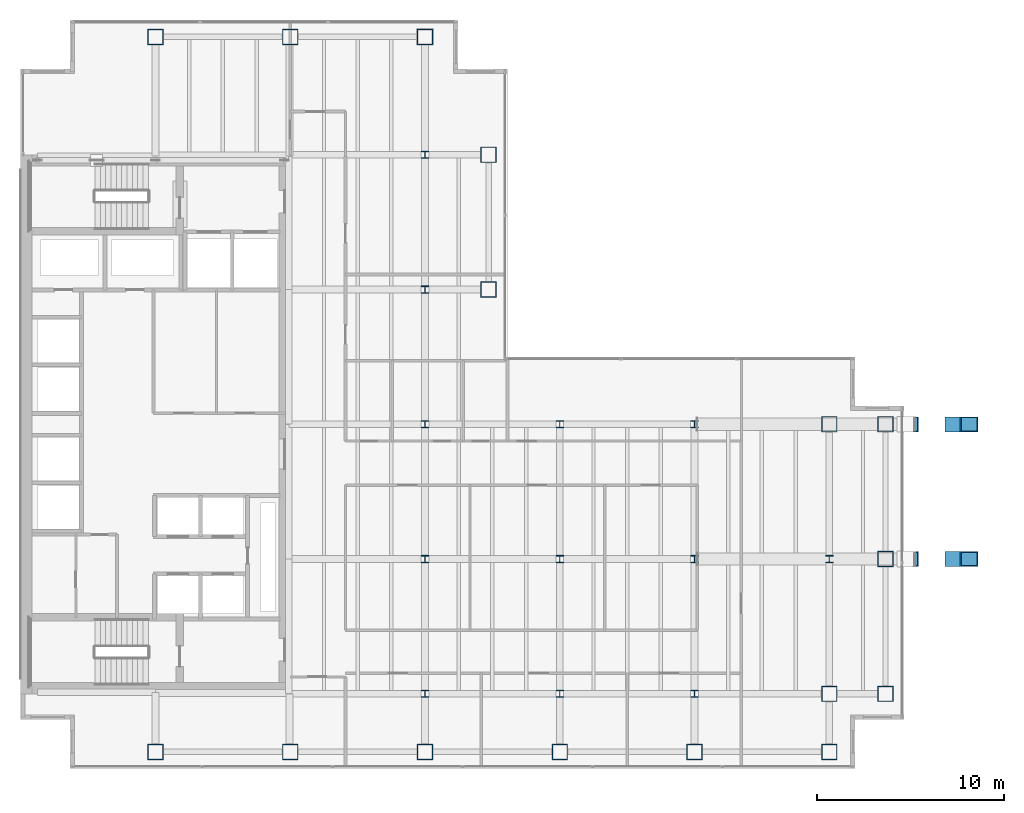
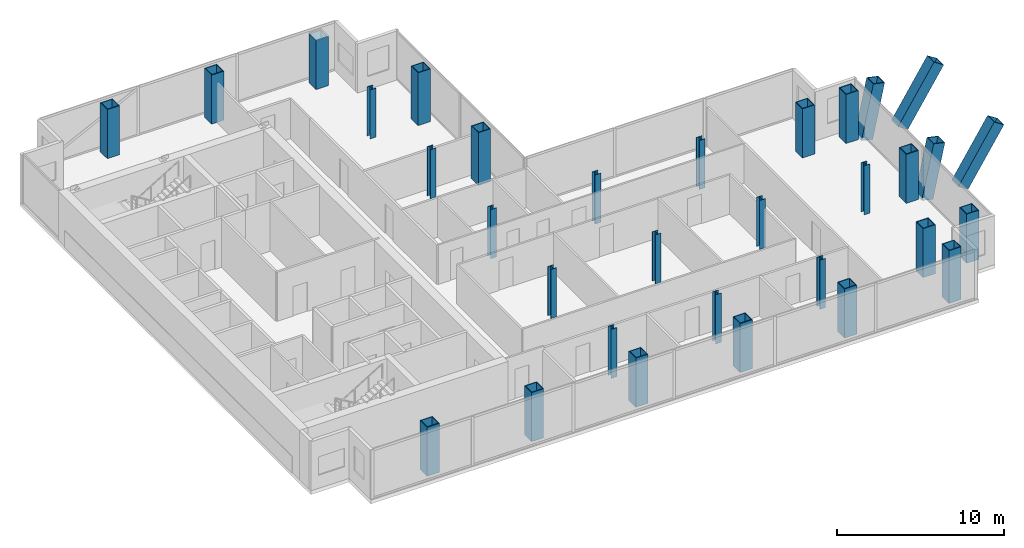
# One storey, part 1 of 23: 32 columns.
"""IFC4 building model written with IfcOpenShell, lengths in metres."""

from ifc_helpers import new_model, si_unit, direction, frame, origin, origin_2d, place, context, subcontext, project, spatial, hollow_rectangle, i_section, extrude, material, material_profile, profile_set, type_object, element, save


model = new_model("IFC4")

# Units and contexts
model_context = context("Model", 3, precision=1e-05, world=origin(), true_north=direction((0.0, 1.0)))
body_context = subcontext(model_context, "Body", "Model", "MODEL_VIEW")
ifc_project = project(units=[si_unit("LENGTHUNIT", "METRE"), si_unit("AREAUNIT", "SQUARE_METRE"), si_unit("VOLUMEUNIT", "CUBIC_METRE"), si_unit("PLANEANGLEUNIT", "RADIAN"), si_unit("MASSUNIT", "GRAM", prefix="KILO")], contexts=[model_context])

# Site, building, storey
site_placement = place(None, origin())
site = spatial("IfcSite", under=ifc_project, at=site_placement, CompositionType="ELEMENT")
building_placement = place(site_placement, origin())
building = spatial("IfcBuilding", under=site, at=building_placement, Name="Cobrela Telecom Tower", CompositionType="ELEMENT")
storey_placement = place(building_placement, frame((0.0, 0.0, 159.949951171875)))
storey = spatial("IfcBuildingStorey", under=building, at=storey_placement, Name="L40", CompositionType="ELEMENT", Elevation=159.949951171875)

# Columns
ifc_material_1 = material(Name="Steel ASTM A992 Grade 50", Category="steel")
ifc_material_profile_1 = material_profile(ifc_material_1, i_section(OverallWidth=0.39892578125, OverallDepth=0.39404296875, WebThickness=0.022705078125, FlangeThickness=0.03662109375, FilletRadius=0.01806640625, at=origin_2d()), Name="W14X193")
ifc_profile_set_1 = profile_set([ifc_material_profile_1], Name="Steel ASTM A992 Grade 50")
column_type_1 = type_object("IfcColumnType", Name="COL-INT-06", PredefinedType="COLUMN", material=ifc_profile_set_1)
for number, where, z_axis, x_axis, name in (
    (1, (21.60009765625, 7.199951171875, 0.0), (0.0, 0.0, 1.0), (1.0, 0.0, 0.0), "L40 Interior Column 06"),
    (2, (21.60009765625, 14.39990234375, 0.0), (0.0, 0.0, 1.0), (1.0, 0.0, 0.0), "L40 Interior Column 07"),
    (3, (21.60009765625, 21.60009765625, 0.0), (0.0, 0.0, 1.0), (1.0, 0.0, 0.0), "L40 Interior Column 08"),
    (4, (21.60009765625, 28.800048828125, 0.0), (0.0, 0.0, 1.0), (1.0, 0.0, 0.0), "L40 Interior Column 09"),
    (5, (21.60009765625, 36.0, 0.0), (0.0, 0.0, 1.0), (1.0, 0.0, 0.0), "L40 Interior Column 10"),
    (6, (28.800048828125, 7.199951171875, 0.0), (0.0, 0.0, 1.0), (1.0, 0.0, 0.0), "L40 Interior Column 15"),
    (7, (28.800048828125, 14.39990234375, 0.0), (0.0, 0.0, 1.0), (1.0, 0.0, 0.0), "L40 Interior Column 16"),
    (8, (28.800048828125, 21.60009765625, 0.0), (0.0, 0.0, 1.0), (1.0, 0.0, 0.0), "L40 Interior Column 17"),
    (9, (36.0, 7.199951171875, 0.0), (0.0, 0.0, 1.0), (1.0, 0.0, 0.0), "L40 Interior Column 19"),
    (10, (36.0, 14.39990234375, 0.0), (0.0, 0.0, 1.0), (1.0, 0.0, 0.0), "L40 Interior Column 20"),
    (11, (36.0, 21.60009765625, 0.0), (0.0, 0.0, 1.0), (1.0, 0.0, 0.0), "L40 Interior Column 21"),
    (12, (43.199951171875, 14.39990234375, 0.0), (0.0, 0.0, 1.0), (1.0, 0.0, 0.0), "L40 Interior Column 24"),
):
    element("IfcColumn", number, at=place(storey_placement, frame(where, z_axis=z_axis, x_axis=x_axis)), inside=storey, type_object=column_type_1, Name=name, PredefinedType="COLUMN", context=body_context, shape_type="SweptSolid", body=[
        extrude(i_section(OverallWidth=0.39892578125, OverallDepth=0.39404296875, WebThickness=0.022705078125, FlangeThickness=0.03662109375, FilletRadius=0.01806640625, at=origin_2d()), origin(), (0.0, 0.0, 1.0), 3.580078125),
    ])
ifc_material_2 = material(Name="Steel ASTM A572 Grade 50", Category="steel")
ifc_material_profile_2 = material_profile(ifc_material_2, hollow_rectangle(XDim=0.85009765625, YDim=0.85009765625, WallThickness=0.050048828125, at=origin_2d()), Name="BOX 850x850x50")
ifc_profile_set_2 = profile_set([ifc_material_profile_2], Name="Steel ASTM A572 Grade 50")
column_type_2 = type_object("IfcColumnType", Name="COL-MEGA-06", PredefinedType="COLUMN", material=ifc_profile_set_2)
for number, where, z_axis, x_axis, name in (
    (13, (7.199951171875, 4.10009765625, 0.0), (0.0, 0.0, 1.0), (1.0, 0.0, 0.0), "L40 Perimeter Mega-Column 01"),
    (14, (7.199951171875, 42.300048828125, 0.0), (0.0, 0.0, 1.0), (1.0, 0.0, 0.0), "L40 Perimeter Mega-Column 02"),
    (15, (14.39990234375, 4.10009765625, 0.0), (0.0, 0.0, 1.0), (1.0, 0.0, 0.0), "L40 Perimeter Mega-Column 03"),
    (16, (14.39990234375, 42.300048828125, 0.0), (0.0, 0.0, 1.0), (1.0, 0.0, 0.0), "L40 Perimeter Mega-Column 04"),
    (17, (21.60009765625, 4.10009765625, 0.0), (0.0, 0.0, 1.0), (1.0, 0.0, 0.0), "L40 Perimeter Mega-Column 05"),
    (18, (21.60009765625, 42.300048828125, 0.0), (0.0, 0.0, 1.0), (1.0, 0.0, 0.0), "L40 Perimeter Mega-Column 11"),
):
    element("IfcColumn", number, at=place(storey_placement, frame(where, z_axis=z_axis, x_axis=x_axis)), inside=storey, type_object=column_type_2, Name=name, PredefinedType="COLUMN", context=body_context, shape_type="SweptSolid", body=[
        extrude(hollow_rectangle(XDim=0.85009765625, YDim=0.85009765625, WallThickness=0.050048828125, at=origin_2d()), origin(), (0.0, 0.0, 1.0), 3.580078125),
    ])
for number, where, z_axis, x_axis, name in (
    (19, (25.0, 28.800048828125, 0.0), (0.0, 0.0, 1.0), (1.0, 0.0, 0.0), "L40 Perimeter Mega-Column 12"),
    (20, (25.0, 36.0, 0.0), (0.0, 0.0, 1.0), (1.0, 0.0, 0.0), "L40 Perimeter Mega-Column 13"),
):
    element("IfcColumn", number, at=place(storey_placement, frame(where, z_axis=z_axis, x_axis=x_axis)), inside=storey, type_object=column_type_2, Name=name, PredefinedType="COLUMN", context=body_context, shape_type="SweptSolid", body=[
        extrude(hollow_rectangle(XDim=0.85009765625, YDim=0.85009765625, WallThickness=0.050048828125, at=origin_2d()), origin(), (0.0, 0.0, 1.0), 3.85009765625),
    ])
for number, where, z_axis, x_axis, name in (
    (21, (28.800048828125, 4.10009765625, 0.0), (0.0, 0.0, 1.0), (1.0, 0.0, 0.0), "L40 Perimeter Mega-Column 14"),
    (22, (36.0, 4.10009765625, 0.0), (0.0, 0.0, 1.0), (1.0, 0.0, 0.0), "L40 Perimeter Mega-Column 18"),
):
    element("IfcColumn", number, at=place(storey_placement, frame(where, z_axis=z_axis, x_axis=x_axis)), inside=storey, type_object=column_type_2, Name=name, PredefinedType="COLUMN", context=body_context, shape_type="SweptSolid", body=[
        extrude(hollow_rectangle(XDim=0.85009765625, YDim=0.85009765625, WallThickness=0.050048828125, at=origin_2d()), origin(), (0.0, 0.0, 1.0), 3.580078125),
    ])
column_1_placement = place(storey_placement, frame((43.199951171875, 4.10009765625, 0.0), z_axis=(0.0, 0.0, 1.0), x_axis=(1.0, 0.0, 0.0)))
element("IfcColumn", 23, at=column_1_placement, inside=storey, type_object=column_type_2, Name="L40 Perimeter Mega-Column 22", PredefinedType="COLUMN", context=body_context, shape_type="SweptSolid", body=[
    extrude(hollow_rectangle(XDim=0.85009765625, YDim=0.85009765625, WallThickness=0.050048828125, at=origin_2d()), origin(), (0.0, 0.0, 1.0), 3.85009765625),
])
for number, where, z_axis, x_axis, name in (
    (24, (43.199951171875, 7.199951171875, 0.0), (0.0, 0.0, 1.0), (1.0, 0.0, 0.0), "L40 Perimeter Mega-Column 23"),
    (25, (43.199951171875, 21.60009765625, 0.0), (0.0, 0.0, 1.0), (1.0, 0.0, 0.0), "L40 Perimeter Mega-Column 25"),
    (26, (46.199951171875, 7.199951171875, 0.0), (0.0, 0.0, 1.0), (1.0, 0.0, 0.0), "L40 Perimeter Mega-Column 26"),
    (27, (46.199951171875, 14.39990234375, 0.0), (0.0, 0.0, 1.0), (1.0, 0.0, 0.0), "L40 Perimeter Mega-Column 27"),
    (28, (46.199951171875, 21.60009765625, 0.0), (0.0, 0.0, 1.0), (1.0, 0.0, 0.0), "L40 Perimeter Mega-Column 28"),
):
    element("IfcColumn", number, at=place(storey_placement, frame(where, z_axis=z_axis, x_axis=x_axis)), inside=storey, type_object=column_type_2, Name=name, PredefinedType="COLUMN", context=body_context, shape_type="SweptSolid", body=[
        extrude(hollow_rectangle(XDim=0.85009765625, YDim=0.85009765625, WallThickness=0.050048828125, at=origin_2d()), origin(), (0.0, 0.0, 1.0), 3.580078125),
    ])
ifc_material_profile_3 = material_profile(ifc_material_2, hollow_rectangle(XDim=0.800048828125, YDim=0.800048828125, WallThickness=0.050048828125, at=origin_2d()), Name="BOX 800x800x50")
ifc_profile_set_3 = profile_set([ifc_material_profile_3], Name="Steel ASTM A572 Grade 50")
column_type_3 = type_object("IfcColumnType", Name="COL-SP-STRUT", PredefinedType="COLUMN", material=ifc_profile_set_3)
column_2_placement = place(storey_placement, frame((47.25, 14.39990234375, -0.27001953125), z_axis=(0.208385367197, 0.0, 0.978046797826), x_axis=(0.0, 1.0, 0.0)))
element("IfcColumn", 29, at=column_2_placement, inside=storey, type_object=column_type_3, Name="L40 Sky Pool Raking Mega-Strut Column 1A", PredefinedType="COLUMN", context=body_context, shape_type="SweptSolid", body=[
    extrude(hollow_rectangle(XDim=0.800048828125, YDim=0.800048828125, WallThickness=0.050048828125, at=origin_2d()), origin(), (0.0, 0.0, 1.0), 3.9365234375),
])
column_3_placement = place(storey_placement, frame((49.724365234375, 14.39990234375, -0.264892578125), z_axis=(0.541159631476, 0.0, 0.840919885162), x_axis=(0.0, 1.0, 0.0)))
element("IfcColumn", 30, at=column_3_placement, inside=storey, type_object=column_type_3, Name="L40 Sky Pool Raking Mega-Strut Column 1B", PredefinedType="COLUMN", context=body_context, shape_type="SweptSolid", body=[
    extrude(hollow_rectangle(XDim=0.800048828125, YDim=0.800048828125, WallThickness=0.050048828125, at=origin_2d()), origin(), (0.0, 0.0, 1.0), 4.572265625),
])
column_4_placement = place(storey_placement, frame((47.25, 21.60009765625, -0.27001953125), z_axis=(0.208385367197, 0.0, 0.978046797826), x_axis=(0.0, 1.0, 0.0)))
element("IfcColumn", 31, at=column_4_placement, inside=storey, type_object=column_type_3, Name="L40 Sky Pool Raking Mega-Strut Column 2A", PredefinedType="COLUMN", context=body_context, shape_type="SweptSolid", body=[
    extrude(hollow_rectangle(XDim=0.800048828125, YDim=0.800048828125, WallThickness=0.050048828125, at=origin_2d()), origin(), (0.0, 0.0, 1.0), 3.9365234375),
])
column_5_placement = place(storey_placement, frame((49.724365234375, 21.60009765625, -0.264892578125), z_axis=(0.541159631476, 0.0, 0.840919885162), x_axis=(0.0, 1.0, 0.0)))
element("IfcColumn", 32, at=column_5_placement, inside=storey, type_object=column_type_3, Name="L40 Sky Pool Raking Mega-Strut Column 2B", PredefinedType="COLUMN", context=body_context, shape_type="SweptSolid", body=[
    extrude(hollow_rectangle(XDim=0.800048828125, YDim=0.800048828125, WallThickness=0.050048828125, at=origin_2d()), origin(), (0.0, 0.0, 1.0), 4.572265625),
])

save(model, "model.ifc")
